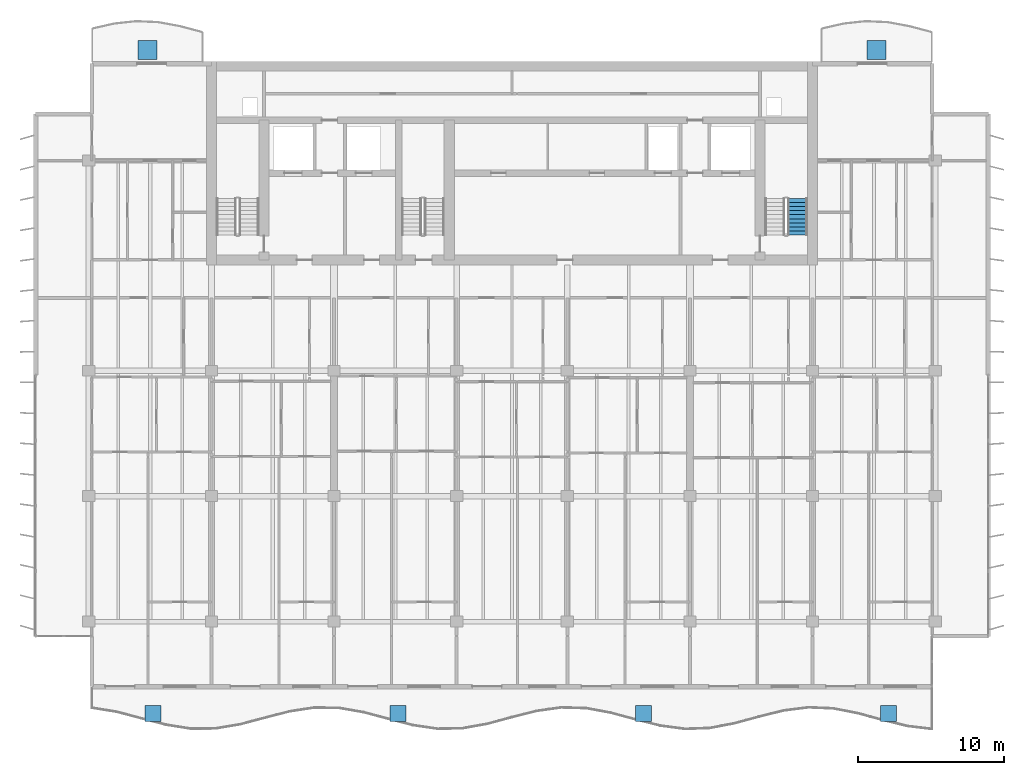
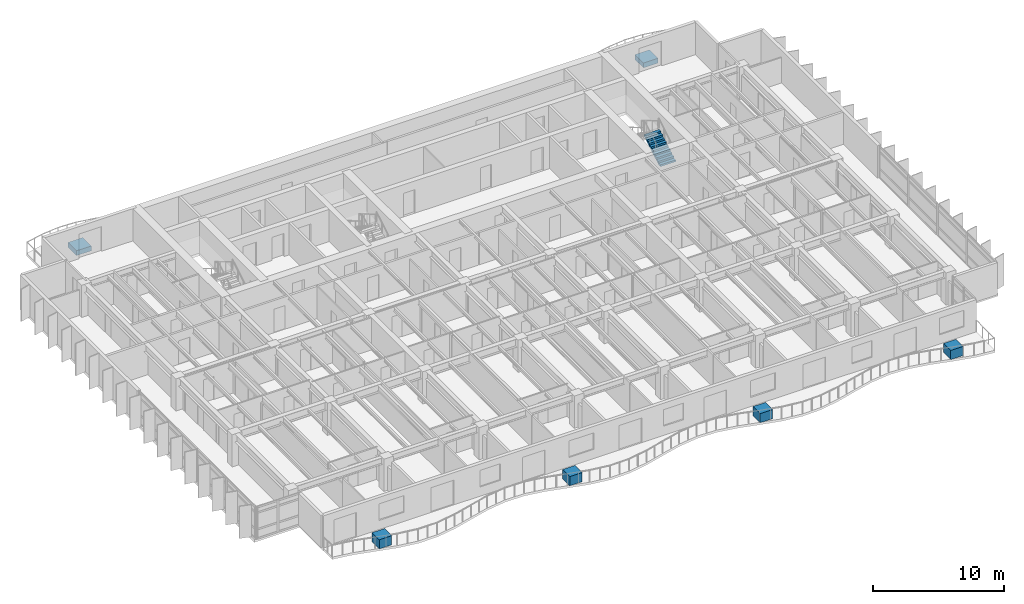
# One storey, part 15 of 19: 6 discrete accessories, 1 stair flight, 1 element without a shape of its own.
"""IFC4 building model written with IfcOpenShell, lengths in metres."""

from ifc_helpers import new_model, si_unit, direction, frame, origin, origin_2d, place, context, subcontext, project, spatial, polyline, rectangle, outline, extrude, material, type_object, element, aggregate, save


model = new_model("IFC4")

# Units and contexts
model_context = context("Model", 3, precision=1e-05, world=origin(), true_north=direction((0.0, 1.0)))
body_context = subcontext(model_context, "Body", "Model", "MODEL_VIEW")
ifc_project = project(units=[si_unit("LENGTHUNIT", "METRE"), si_unit("AREAUNIT", "SQUARE_METRE"), si_unit("VOLUMEUNIT", "CUBIC_METRE"), si_unit("PLANEANGLEUNIT", "RADIAN"), si_unit("MASSUNIT", "GRAM", prefix="KILO")], contexts=[model_context])

# Site, building, storey
site_placement = place(None, origin())
site = spatial("IfcSite", under=ifc_project, at=site_placement, CompositionType="ELEMENT")
building_placement = place(site_placement, origin())
building = spatial("IfcBuilding", under=site, at=building_placement, Name="Caelmar Bay Residences", CompositionType="ELEMENT")
storey_placement = place(building_placement, frame((0.0, 0.0, 218.10009765625)))
storey = spatial("IfcBuildingStorey", under=building, at=storey_placement, Name="L61", CompositionType="ELEMENT", Elevation=218.10009765625)

# Stair, stair flight
ifc_material_1 = material(Name="Concrete f'c 40 MPa (6,000 psi)", Category="concrete")
stair_type = type_object("IfcStairType", Name="ST-TYP-165", PredefinedType="HALF_TURN_STAIR", material=ifc_material_1)
stair_placement = place(storey_placement, origin())
stair = element("IfcStair", 1, at=stair_placement, inside=storey, type_object=stair_type, Name="L61 East Smokeproof Exit Stair ST2", PredefinedType="HALF_TURN_STAIR")
stair_flight_type = type_object("IfcStairFlightType", Name="STF-1350", PredefinedType="STRAIGHT", material=ifc_material_1)
stair_flight_placement = place(storey_placement, frame((58.47509765625, 38.699951171875, 0.0), z_axis=(0.0, 0.0, 1.0), x_axis=(0.0, 1.0, 0.0)))
stair_flight = element("IfcStairFlight", 2, at=stair_flight_placement, type_object=stair_flight_type, Name="ST2 flight 1", NumberOfRisers=10, NumberOfTreads=9, PredefinedType="STRAIGHT", RiserHeight=0.165, TreadLength=0.28, context=body_context, shape_type="SweptSolid", body=[
    extrude(outline(polyline([(0.0, 0.0), (0.0, 0.1650390625), (0.280029296875, 0.1650390625), (0.280029296875, 0.330078125), (0.56005859375, 0.330078125), (0.56005859375, 0.4951171875), (0.840087890625, 0.4951171875), (0.840087890625, 0.659912109375), (1.1201171875, 0.659912109375), (1.1201171875, 0.824951171875), (1.39990234375, 0.824951171875), (1.39990234375, 0.989990234375), (1.679931640625, 0.989990234375), (1.679931640625, 1.155029296875), (1.9599609375, 1.155029296875), (1.9599609375, 1.320068359375), (2.239990234375, 1.320068359375), (2.239990234375, 1.485107421875), (2.52001953125, 1.485107421875), (2.52001953125, 1.64990234375), (2.52001953125, 1.31103515625), (0.295166015625, 0.0), (0.0, 0.0)])), frame((0.0, 0.675048828125, 0.0), z_axis=(0.0, -1.0, 0.0), x_axis=(1.0, 0.0, 0.0)), (0.0, 0.0, 1.0), 1.35009765625),
])
aggregate(stair, [stair_flight])

# Discrete accessories
ifc_material_2 = material(Name="Architectural bronze GRC planter trough with volcanic-lapilli substrate")
discrete_accessory_type_1 = type_object("IfcDiscreteAccessoryType", Name="ACC-PLANTER-1100", PredefinedType="USERDEFINED", material=ifc_material_2)
for number, where, z_axis, x_axis, name in (
    (3, (14.300048828125, 5.918212890625, -0.000244140625), (0.0, 0.0, 1.0), (1.0, 0.0, 0.0), "L61 Balcony Structural Tree Planter 1"),
    (4, (31.10009765625, 5.918212890625, -0.000244140625), (0.0, 0.0, 1.0), (1.0, 0.0, 0.0), "L61 Balcony Structural Tree Planter 2"),
    (5, (47.89990234375, 5.918212890625, -0.000244140625), (0.0, 0.0, 1.0), (1.0, 0.0, 0.0), "L61 Balcony Structural Tree Planter 3"),
    (6, (64.699951171875, 5.918212890625, -0.000244140625), (0.0, 0.0, 1.0), (1.0, 0.0, 0.0), "L61 Balcony Structural Tree Planter 4"),
):
    element("IfcDiscreteAccessory", number, at=place(storey_placement, frame(where, z_axis=z_axis, x_axis=x_axis)), inside=storey, type_object=discrete_accessory_type_1, Name=name, ObjectType="PLANTER", PredefinedType="USERDEFINED", context=body_context, shape_type="SweptSolid", body=[
        extrude(rectangle(XDim=1.10009765625, YDim=1.10009765625, at=origin_2d()), origin(), (0.0, 0.0, 1.0), 0.85009765625),
    ])
ifc_material_3 = material(Name="Precast concrete f'c 40 MPa (6,000 psi)", Category="concrete")
discrete_accessory_type_2 = type_object("IfcDiscreteAccessoryType", Name="STR-PLANTER-KERB-450", PredefinedType="USERDEFINED", material=ifc_material_3)
for number, where, z_axis, x_axis, name in (
    (7, (13.89990234375, 51.39990234375, 0.0), (0.0, 0.0, 1.0), (1.0, 0.0, 0.0), "L61 north_west Structural Tree Planter Kerb"),
    (8, (63.89990234375, 51.39990234375, 0.0), (0.0, 0.0, 1.0), (1.0, 0.0, 0.0), "L61 north_east Structural Tree Planter Kerb"),
):
    element("IfcDiscreteAccessory", number, at=place(storey_placement, frame(where, z_axis=z_axis, x_axis=x_axis)), inside=storey, type_object=discrete_accessory_type_2, Name=name, ObjectType="PLANTER", PredefinedType="USERDEFINED", context=body_context, shape_type="SweptSolid", body=[
        extrude(rectangle(XDim=1.300048828125, YDim=1.300048828125, at=origin_2d()), origin(), (0.0, 0.0, 1.0), 0.449951171875),
    ])

save(model, "model.ifc")
